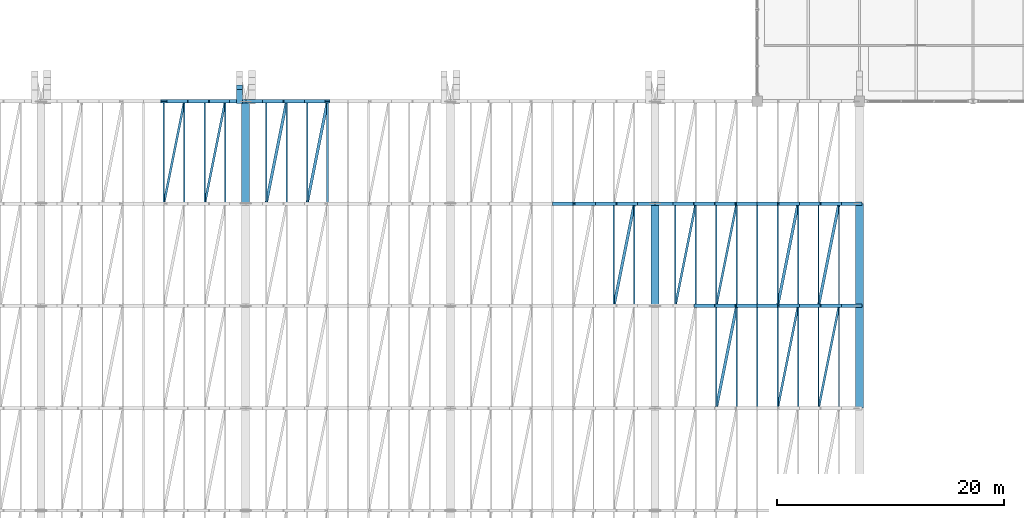
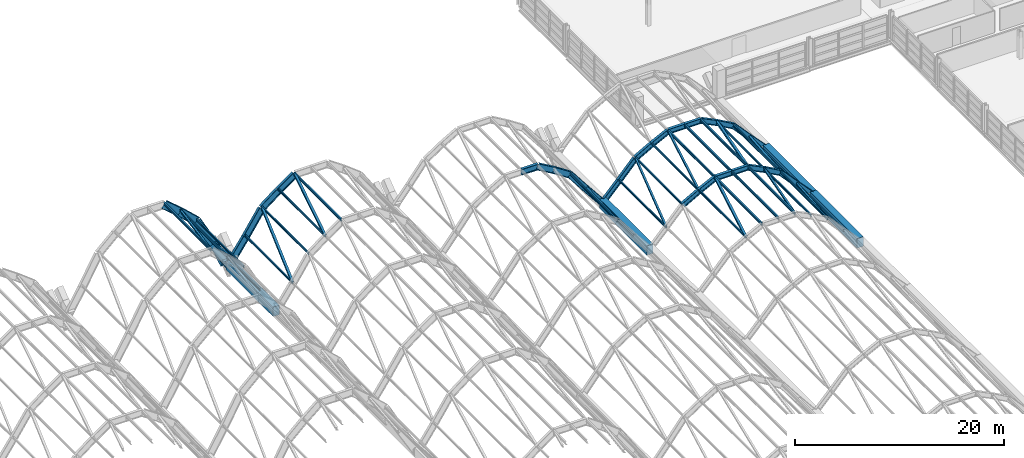
# One storey, part 26 of 86: 38 members, 36 beams.
"""IFC4 building model written with IfcOpenShell, lengths in metres."""

from ifc_helpers import new_model, si_unit, direction, frame, origin, origin_2d, place, context, subcontext, project, spatial, rectangle, i_section, extrude, material, material_profile, profile_set, type_object, element, save


model = new_model("IFC4")

# Units and contexts
model_context = context("Model", 3, precision=1e-05, world=origin(), true_north=direction((0.0, 1.0)))
body_context = subcontext(model_context, "Body", "Model", "MODEL_VIEW")
ifc_project = project(units=[si_unit("LENGTHUNIT", "METRE"), si_unit("AREAUNIT", "SQUARE_METRE"), si_unit("VOLUMEUNIT", "CUBIC_METRE"), si_unit("PLANEANGLEUNIT", "RADIAN"), si_unit("MASSUNIT", "GRAM", prefix="KILO")], contexts=[model_context])

# Site, building, storey
site_placement = place(None, origin())
site = spatial("IfcSite", under=ifc_project, at=site_placement, CompositionType="ELEMENT")
building_placement = place(site_placement, origin())
building = spatial("IfcBuilding", under=site, at=building_placement, Name="Chuanluo Vaults Station", CompositionType="ELEMENT")
storey_placement = place(building_placement, frame((0.0, 0.0, 14.39990234375)))
storey = spatial("IfcBuildingStorey", under=building, at=storey_placement, Name="L03", CompositionType="ELEMENT", Elevation=14.39990234375)

# Beams
ifc_material_1 = material(Name="Concrete C50", Category="concrete")
ifc_material_profile_1 = material_profile(ifc_material_1, rectangle(XDim=0.550048828125, YDim=0.85009765625, at=origin_2d()))
ifc_profile_set_1 = profile_set([ifc_material_profile_1], Name="Concrete C50")
beam_type_1 = type_object("IfcBeamType", Name="BM-CUSP-RC2", PredefinedType="USERDEFINED", material=ifc_profile_set_1)
beam_1_placement = place(storey_placement, frame((71.449951171875, 103.5, -0.5498046875), z_axis=(0.0, 0.872520545396, 0.488577422588), x_axis=(-1.0, 0.0, 0.0)))
element("IfcBeam", 1, at=beam_1_placement, inside=storey, type_object=beam_type_1, Name="Vault V4 upturned cusp rib N-E chord 1", ObjectType="GIRDER", PredefinedType="USERDEFINED", context=body_context, shape_type="SweptSolid", body=[
    extrude(rectangle(XDim=0.550048828125, YDim=0.85009765625, at=origin_2d()), origin(), (0.0, 0.0, 1.0), 1.4326171875),
])
ifc_material_2 = material(Name="Concrete C50", Category="concrete")
ifc_material_profile_2 = material_profile(ifc_material_2, rectangle(XDim=0.699951171875, YDim=1.10009765625, at=origin_2d()))
ifc_profile_set_2 = profile_set([ifc_material_profile_2], Name="Concrete C50")
beam_type_2 = type_object("IfcBeamType", Name="BM-VAL-RC", PredefinedType="USERDEFINED", material=ifc_profile_set_2)
for number, where, z_axis, x_axis, name in (
    (2, (72.0, 94.5, -0.7998046875), (0.0, 1.0, 0.0), (-1.0, 0.0, 0.0), "Vault springing valley beam X72-8"),
    (3, (108.0, 85.5, -0.7998046875), (0.0, 1.0, 0.0), (-1.0, 0.0, 0.0), "Vault springing valley beam X108-7"),
    (4, (126.0, 76.5, -0.7998046875), (0.0, 1.0, 0.0), (-1.0, 0.0, 0.0), "Vault springing valley beam X126-6"),
    (5, (126.0, 85.5, -0.7998046875), (0.0, 1.0, 0.0), (-1.0, 0.0, 0.0), "Vault springing valley beam X126-7"),
):
    element("IfcBeam", number, at=place(storey_placement, frame(where, z_axis=z_axis, x_axis=x_axis)), inside=storey, type_object=beam_type_2, Name=name, ObjectType="GIRDER", PredefinedType="USERDEFINED", context=body_context, shape_type="SweptSolid", body=[
        extrude(rectangle(XDim=0.699951171875, YDim=1.10009765625, at=origin_2d()), origin(), (0.0, 0.0, 1.0), 9.0),
    ])
ifc_material_3 = material(Name="Steel Q355C", Category="steel")
ifc_material_profile_3 = material_profile(ifc_material_3, i_section(OverallWidth=0.300048828125, OverallDepth=0.587890625, WebThickness=0.011962890625, FlangeThickness=0.02001953125, FilletRadius=0.02392578125, at=origin_2d()))
ifc_profile_set_3 = profile_set([ifc_material_profile_3], Name="Steel Q355C")
beam_type_3 = type_object("IfcBeamType", Name="BM-VLT-600", PredefinedType="USERDEFINED", material=ifc_profile_set_3)
beam_2_placement = place(storey_placement, frame((111.60009765625, 85.5, 3.14404296875), z_axis=(0.873681685546, 0.0, 0.486498008569), x_axis=(0.0, 1.0, 0.0)))
element("IfcBeam", 6, at=beam_2_placement, inside=storey, type_object=beam_type_3, Name="Vault V7 arch rib 7 chord 3", ObjectType="GIRDER", PredefinedType="USERDEFINED", context=body_context, shape_type="SweptSolid", body=[
    extrude(i_section(OverallWidth=0.300048828125, OverallDepth=0.587890625, WebThickness=0.011962890625, FlangeThickness=0.02001953125, FilletRadius=0.02392578125, at=origin_2d()), origin(), (0.0, 0.0, 1.0), 2.06005859375),
])
beam_3_placement = place(storey_placement, frame((113.39990234375, 85.5, 4.146240234375), z_axis=(0.896436371213, 0.0, 0.443172463457), x_axis=(0.0, 1.0, 0.0)))
element("IfcBeam", 7, at=beam_3_placement, inside=storey, type_object=beam_type_3, Name="Vault V7 arch rib 7 chord 4", ObjectType="GIRDER", PredefinedType="USERDEFINED", context=body_context, shape_type="SweptSolid", body=[
    extrude(i_section(OverallWidth=0.300048828125, OverallDepth=0.587890625, WebThickness=0.011962890625, FlangeThickness=0.02001953125, FilletRadius=0.02392578125, at=origin_2d()), origin(), (0.0, 0.0, 1.0), 2.008056640625),
])
for number, where, z_axis, x_axis, name in (
    (8, (115.199951171875, 85.5, 5.0361328125), (1.0, 0.0, 0.0), (0.0, 1.0, 0.0), "Vault V7 arch rib 7 chord 5"),
    (9, (117.0, 85.5, 5.0361328125), (1.0, 0.0, 0.0), (0.0, 1.0, 0.0), "Vault V7 arch rib 7 chord 6"),
):
    element("IfcBeam", number, at=place(storey_placement, frame(where, z_axis=z_axis, x_axis=x_axis)), inside=storey, type_object=beam_type_3, Name=name, ObjectType="GIRDER", PredefinedType="USERDEFINED", context=body_context, shape_type="SweptSolid", body=[
        extrude(i_section(OverallWidth=0.300048828125, OverallDepth=0.587890625, WebThickness=0.011962890625, FlangeThickness=0.02001953125, FilletRadius=0.02392578125, at=origin_2d()), origin(), (0.0, 0.0, 1.0), 1.800048828125),
    ])
beam_4_placement = place(storey_placement, frame((118.800048828125, 85.5, 5.0361328125), z_axis=(0.896436371213, 0.0, -0.443172463457), x_axis=(0.0, 1.0, 0.0)))
element("IfcBeam", 10, at=beam_4_placement, inside=storey, type_object=beam_type_3, Name="Vault V7 arch rib 7 chord 7", ObjectType="GIRDER", PredefinedType="USERDEFINED", context=body_context, shape_type="SweptSolid", body=[
    extrude(i_section(OverallWidth=0.300048828125, OverallDepth=0.587890625, WebThickness=0.011962890625, FlangeThickness=0.02001953125, FilletRadius=0.02392578125, at=origin_2d()), origin(), (0.0, 0.0, 1.0), 2.008056640625),
])
beam_5_placement = place(storey_placement, frame((120.60009765625, 85.5, 4.146240234375), z_axis=(0.873681685546, 0.0, -0.486498008569), x_axis=(0.0, 1.0, 0.0)))
element("IfcBeam", 11, at=beam_5_placement, inside=storey, type_object=beam_type_3, Name="Vault V7 arch rib 7 chord 8", ObjectType="GIRDER", PredefinedType="USERDEFINED", context=body_context, shape_type="SweptSolid", body=[
    extrude(i_section(OverallWidth=0.300048828125, OverallDepth=0.587890625, WebThickness=0.011962890625, FlangeThickness=0.02001953125, FilletRadius=0.02392578125, at=origin_2d()), origin(), (0.0, 0.0, 1.0), 2.06005859375),
])
beam_6_placement = place(storey_placement, frame((122.39990234375, 85.5, 3.14404296875), z_axis=(0.674369120381, 0.0, -0.738394399679), x_axis=(0.0, 1.0, 0.0)))
element("IfcBeam", 12, at=beam_6_placement, inside=storey, type_object=beam_type_3, Name="Vault V7 arch rib 7 chord 9", ObjectType="GIRDER", PredefinedType="USERDEFINED", context=body_context, shape_type="SweptSolid", body=[
    extrude(i_section(OverallWidth=0.300048828125, OverallDepth=0.587890625, WebThickness=0.011962890625, FlangeThickness=0.02001953125, FilletRadius=0.02392578125, at=origin_2d()), origin(), (0.0, 0.0, 1.0), 2.669189453125),
])
for number, where, z_axis, x_axis, name in (
    (13, (124.199951171875, 85.5, 1.173095703125), (0.684521510403, 0.0, -0.728992662374), (0.0, 1.0, 0.0), "Vault V7 arch rib 7 chord 10"),
    (14, (108.0, 94.5, -0.743896484375), (0.684521510403, 0.0, 0.728992662374), (0.0, 1.0, 0.0), "Vault V7 arch rib 8 chord 1"),
):
    element("IfcBeam", number, at=place(storey_placement, frame(where, z_axis=z_axis, x_axis=x_axis)), inside=storey, type_object=beam_type_3, Name=name, ObjectType="GIRDER", PredefinedType="USERDEFINED", context=body_context, shape_type="SweptSolid", body=[
        extrude(i_section(OverallWidth=0.300048828125, OverallDepth=0.587890625, WebThickness=0.011962890625, FlangeThickness=0.02001953125, FilletRadius=0.02392578125, at=origin_2d()), origin(), (0.0, 0.0, 1.0), 2.629638671875),
    ])
beam_7_placement = place(storey_placement, frame((109.800048828125, 94.5, 1.173095703125), z_axis=(0.674369120381, 0.0, 0.738394399679), x_axis=(0.0, 1.0, 0.0)))
element("IfcBeam", 15, at=beam_7_placement, inside=storey, type_object=beam_type_3, Name="Vault V7 arch rib 8 chord 2", ObjectType="GIRDER", PredefinedType="USERDEFINED", context=body_context, shape_type="SweptSolid", body=[
    extrude(i_section(OverallWidth=0.300048828125, OverallDepth=0.587890625, WebThickness=0.011962890625, FlangeThickness=0.02001953125, FilletRadius=0.02392578125, at=origin_2d()), origin(), (0.0, 0.0, 1.0), 2.669189453125),
])
beam_8_placement = place(storey_placement, frame((111.60009765625, 94.5, 3.14404296875), z_axis=(0.873681685546, 0.0, 0.486498008569), x_axis=(0.0, 1.0, 0.0)))
element("IfcBeam", 16, at=beam_8_placement, inside=storey, type_object=beam_type_3, Name="Vault V7 arch rib 8 chord 3", ObjectType="GIRDER", PredefinedType="USERDEFINED", context=body_context, shape_type="SweptSolid", body=[
    extrude(i_section(OverallWidth=0.300048828125, OverallDepth=0.587890625, WebThickness=0.011962890625, FlangeThickness=0.02001953125, FilletRadius=0.02392578125, at=origin_2d()), origin(), (0.0, 0.0, 1.0), 2.06005859375),
])
beam_9_placement = place(storey_placement, frame((113.39990234375, 94.5, 4.146240234375), z_axis=(0.896436371213, 0.0, 0.443172463457), x_axis=(0.0, 1.0, 0.0)))
element("IfcBeam", 17, at=beam_9_placement, inside=storey, type_object=beam_type_3, Name="Vault V7 arch rib 8 chord 4", ObjectType="GIRDER", PredefinedType="USERDEFINED", context=body_context, shape_type="SweptSolid", body=[
    extrude(i_section(OverallWidth=0.300048828125, OverallDepth=0.587890625, WebThickness=0.011962890625, FlangeThickness=0.02001953125, FilletRadius=0.02392578125, at=origin_2d()), origin(), (0.0, 0.0, 1.0), 2.008056640625),
])
for number, where, z_axis, x_axis, name in (
    (18, (115.199951171875, 94.5, 5.0361328125), (1.0, 0.0, 0.0), (0.0, 1.0, 0.0), "Vault V7 arch rib 8 chord 5"),
    (19, (117.0, 94.5, 5.0361328125), (1.0, 0.0, 0.0), (0.0, 1.0, 0.0), "Vault V7 arch rib 8 chord 6"),
):
    element("IfcBeam", number, at=place(storey_placement, frame(where, z_axis=z_axis, x_axis=x_axis)), inside=storey, type_object=beam_type_3, Name=name, ObjectType="GIRDER", PredefinedType="USERDEFINED", context=body_context, shape_type="SweptSolid", body=[
        extrude(i_section(OverallWidth=0.300048828125, OverallDepth=0.587890625, WebThickness=0.011962890625, FlangeThickness=0.02001953125, FilletRadius=0.02392578125, at=origin_2d()), origin(), (0.0, 0.0, 1.0), 1.800048828125),
    ])
beam_10_placement = place(storey_placement, frame((118.800048828125, 94.5, 5.0361328125), z_axis=(0.896436371213, 0.0, -0.443172463457), x_axis=(0.0, 1.0, 0.0)))
element("IfcBeam", 20, at=beam_10_placement, inside=storey, type_object=beam_type_3, Name="Vault V7 arch rib 8 chord 7", ObjectType="GIRDER", PredefinedType="USERDEFINED", context=body_context, shape_type="SweptSolid", body=[
    extrude(i_section(OverallWidth=0.300048828125, OverallDepth=0.587890625, WebThickness=0.011962890625, FlangeThickness=0.02001953125, FilletRadius=0.02392578125, at=origin_2d()), origin(), (0.0, 0.0, 1.0), 2.008056640625),
])
beam_11_placement = place(storey_placement, frame((120.60009765625, 94.5, 4.146240234375), z_axis=(0.873681685546, 0.0, -0.486498008569), x_axis=(0.0, 1.0, 0.0)))
element("IfcBeam", 21, at=beam_11_placement, inside=storey, type_object=beam_type_3, Name="Vault V7 arch rib 8 chord 8", ObjectType="GIRDER", PredefinedType="USERDEFINED", context=body_context, shape_type="SweptSolid", body=[
    extrude(i_section(OverallWidth=0.300048828125, OverallDepth=0.587890625, WebThickness=0.011962890625, FlangeThickness=0.02001953125, FilletRadius=0.02392578125, at=origin_2d()), origin(), (0.0, 0.0, 1.0), 2.06005859375),
])
beam_12_placement = place(storey_placement, frame((122.39990234375, 94.5, 3.14404296875), z_axis=(0.674369120381, 0.0, -0.738394399679), x_axis=(0.0, 1.0, 0.0)))
element("IfcBeam", 22, at=beam_12_placement, inside=storey, type_object=beam_type_3, Name="Vault V7 arch rib 8 chord 9", ObjectType="GIRDER", PredefinedType="USERDEFINED", context=body_context, shape_type="SweptSolid", body=[
    extrude(i_section(OverallWidth=0.300048828125, OverallDepth=0.587890625, WebThickness=0.011962890625, FlangeThickness=0.02001953125, FilletRadius=0.02392578125, at=origin_2d()), origin(), (0.0, 0.0, 1.0), 2.669189453125),
])
beam_13_placement = place(storey_placement, frame((124.199951171875, 94.5, 1.173095703125), z_axis=(0.684521510403, 0.0, -0.728992662374), x_axis=(0.0, 1.0, 0.0)))
element("IfcBeam", 23, at=beam_13_placement, inside=storey, type_object=beam_type_3, Name="Vault V7 arch rib 8 chord 10", ObjectType="GIRDER", PredefinedType="USERDEFINED", context=body_context, shape_type="SweptSolid", body=[
    extrude(i_section(OverallWidth=0.300048828125, OverallDepth=0.587890625, WebThickness=0.011962890625, FlangeThickness=0.02001953125, FilletRadius=0.02392578125, at=origin_2d()), origin(), (0.0, 0.0, 1.0), 2.629638671875),
])
ifc_material_4 = material(Name="Steel Q355C", Category="steel")
ifc_material_profile_4 = material_profile(ifc_material_4, i_section(OverallWidth=0.300048828125, OverallDepth=0.699951171875, WebThickness=0.012939453125, FlangeThickness=0.02392578125, FilletRadius=0.02392578125, at=origin_2d()))
ifc_profile_set_4 = profile_set([ifc_material_profile_4], Name="Steel Q355C")
beam_type_4 = type_object("IfcBeamType", Name="BM-VLT-700", PredefinedType="USERDEFINED", material=ifc_profile_set_4)
beam_14_placement = place(storey_placement, frame((99.0, 94.5, 5.97998046875), z_axis=(1.0, 0.0, 0.0), x_axis=(0.0, 1.0, 0.0)))
element("IfcBeam", 24, at=beam_14_placement, inside=storey, type_object=beam_type_4, Name="Vault V6 arch rib 8 chord 6", ObjectType="GIRDER", PredefinedType="USERDEFINED", context=body_context, shape_type="SweptSolid", body=[
    extrude(i_section(OverallWidth=0.300048828125, OverallDepth=0.699951171875, WebThickness=0.012939453125, FlangeThickness=0.02392578125, FilletRadius=0.02392578125, at=origin_2d()), origin(), (0.0, 0.0, 1.0), 1.800048828125),
])
beam_15_placement = place(storey_placement, frame((100.800048828125, 94.5, 5.97998046875), z_axis=(0.863009490662, 0.0, -0.505187706727), x_axis=(0.0, 1.0, 0.0)))
element("IfcBeam", 25, at=beam_15_placement, inside=storey, type_object=beam_type_4, Name="Vault V6 arch rib 8 chord 7", ObjectType="GIRDER", PredefinedType="USERDEFINED", context=body_context, shape_type="SweptSolid", body=[
    extrude(i_section(OverallWidth=0.300048828125, OverallDepth=0.699951171875, WebThickness=0.012939453125, FlangeThickness=0.02392578125, FilletRadius=0.02392578125, at=origin_2d()), origin(), (0.0, 0.0, 1.0), 2.085693359375),
])
beam_16_placement = place(storey_placement, frame((102.60009765625, 94.5, 4.92626953125), z_axis=(0.836145448105, 0.0, -0.54850778446), x_axis=(0.0, 1.0, 0.0)))
element("IfcBeam", 26, at=beam_16_placement, inside=storey, type_object=beam_type_4, Name="Vault V6 arch rib 8 chord 8", ObjectType="GIRDER", PredefinedType="USERDEFINED", context=body_context, shape_type="SweptSolid", body=[
    extrude(i_section(OverallWidth=0.300048828125, OverallDepth=0.699951171875, WebThickness=0.012939453125, FlangeThickness=0.02392578125, FilletRadius=0.02392578125, at=origin_2d()), origin(), (0.0, 0.0, 1.0), 2.152587890625),
])
beam_17_placement = place(storey_placement, frame((104.39990234375, 94.5, 3.74560546875), z_axis=(0.613681275736, 0.0, -0.789553856182), x_axis=(0.0, 1.0, 0.0)))
element("IfcBeam", 27, at=beam_17_placement, inside=storey, type_object=beam_type_4, Name="Vault V6 arch rib 8 chord 9", ObjectType="GIRDER", PredefinedType="USERDEFINED", context=body_context, shape_type="SweptSolid", body=[
    extrude(i_section(OverallWidth=0.300048828125, OverallDepth=0.699951171875, WebThickness=0.012939453125, FlangeThickness=0.02392578125, FilletRadius=0.02392578125, at=origin_2d()), origin(), (0.0, 0.0, 1.0), 2.93310546875),
])
beam_18_placement = place(storey_placement, frame((106.199951171875, 94.5, 1.4296875), z_axis=(0.628190338877, 0.0, -0.778059700885), x_axis=(0.0, 1.0, 0.0)))
element("IfcBeam", 28, at=beam_18_placement, inside=storey, type_object=beam_type_4, Name="Vault V6 arch rib 8 chord 10", ObjectType="GIRDER", PredefinedType="USERDEFINED", context=body_context, shape_type="SweptSolid", body=[
    extrude(i_section(OverallWidth=0.300048828125, OverallDepth=0.699951171875, WebThickness=0.012939453125, FlangeThickness=0.02392578125, FilletRadius=0.02392578125, at=origin_2d()), origin(), (0.0, 0.0, 1.0), 2.865478515625),
])
ifc_material_5 = material(Name="Steel Q355C", Category="steel")
ifc_material_profile_5 = material_profile(ifc_material_5, i_section(OverallWidth=0.300048828125, OverallDepth=0.800048828125, WebThickness=0.013916015625, FlangeThickness=0.02587890625, FilletRadius=0.02392578125, at=origin_2d()))
ifc_profile_set_5 = profile_set([ifc_material_profile_5], Name="Steel Q355C")
beam_type_5 = type_object("IfcBeamType", Name="BM-VLT-800", PredefinedType="USERDEFINED", material=ifc_profile_set_5)
beam_19_placement = place(storey_placement, frame((72.0, 103.5, -0.849853515625), z_axis=(0.568880934439, 0.0, 0.822419894234), x_axis=(0.0, 1.0, 0.0)))
element("IfcBeam", 29, at=beam_19_placement, inside=storey, type_object=beam_type_5, Name="Vault V5 arch rib 9 chord 1", ObjectType="GIRDER", PredefinedType="USERDEFINED", context=body_context, shape_type="SweptSolid", body=[
    extrude(i_section(OverallWidth=0.300048828125, OverallDepth=0.800048828125, WebThickness=0.013916015625, FlangeThickness=0.02587890625, FilletRadius=0.02392578125, at=origin_2d()), origin(), (0.0, 0.0, 1.0), 3.164306640625),
])
beam_20_placement = place(storey_placement, frame((73.800048828125, 103.5, 1.75244140625), z_axis=(0.550471867992, 0.0, 0.834853713263), x_axis=(0.0, 1.0, 0.0)))
element("IfcBeam", 30, at=beam_20_placement, inside=storey, type_object=beam_type_5, Name="Vault V5 arch rib 9 chord 2", ObjectType="GIRDER", PredefinedType="USERDEFINED", context=body_context, shape_type="SweptSolid", body=[
    extrude(i_section(OverallWidth=0.300048828125, OverallDepth=0.800048828125, WebThickness=0.013916015625, FlangeThickness=0.02587890625, FilletRadius=0.02392578125, at=origin_2d()), origin(), (0.0, 0.0, 1.0), 3.27001953125),
])
beam_21_placement = place(storey_placement, frame((75.60009765625, 103.5, 4.482421875), z_axis=(0.790274889356, 0.0, 0.612752477965), x_axis=(0.0, 1.0, 0.0)))
element("IfcBeam", 31, at=beam_21_placement, inside=storey, type_object=beam_type_5, Name="Vault V5 arch rib 9 chord 3", ObjectType="GIRDER", PredefinedType="USERDEFINED", context=body_context, shape_type="SweptSolid", body=[
    extrude(i_section(OverallWidth=0.300048828125, OverallDepth=0.800048828125, WebThickness=0.013916015625, FlangeThickness=0.02587890625, FilletRadius=0.02392578125, at=origin_2d()), origin(), (0.0, 0.0, 1.0), 2.27734375),
])
beam_22_placement = place(storey_placement, frame((77.39990234375, 103.5, 5.8779296875), z_axis=(0.820907471123, 0.0, 0.571061226012), x_axis=(0.0, 1.0, 0.0)))
element("IfcBeam", 32, at=beam_22_placement, inside=storey, type_object=beam_type_5, Name="Vault V5 arch rib 9 chord 4", ObjectType="GIRDER", PredefinedType="USERDEFINED", context=body_context, shape_type="SweptSolid", body=[
    extrude(i_section(OverallWidth=0.300048828125, OverallDepth=0.800048828125, WebThickness=0.013916015625, FlangeThickness=0.02587890625, FilletRadius=0.02392578125, at=origin_2d()), origin(), (0.0, 0.0, 1.0), 2.19287109375),
])
ifc_material_6 = material(Name="Steel Q355C", Category="steel")
ifc_material_profile_6 = material_profile(ifc_material_6, i_section(OverallWidth=0.300048828125, OverallDepth=0.89990234375, WebThickness=0.01611328125, FlangeThickness=0.028076171875, FilletRadius=0.02392578125, at=origin_2d()))
ifc_profile_set_6 = profile_set([ifc_material_profile_6], Name="Steel Q355C")
beam_type_6 = type_object("IfcBeamType", Name="BM-VLT-900", PredefinedType="USERDEFINED", material=ifc_profile_set_6)
beam_23_placement = place(storey_placement, frame((64.800048828125, 103.5, 8.68017578125), z_axis=(0.76434097912, 0.0, -0.644812273176), x_axis=(0.0, 1.0, 0.0)))
element("IfcBeam", 33, at=beam_23_placement, inside=storey, type_object=beam_type_6, Name="Vault V4 arch rib 9 chord 7", ObjectType="GIRDER", PredefinedType="USERDEFINED", context=body_context, shape_type="SweptSolid", body=[
    extrude(i_section(OverallWidth=0.300048828125, OverallDepth=0.89990234375, WebThickness=0.01611328125, FlangeThickness=0.028076171875, FilletRadius=0.02392578125, at=origin_2d()), origin(), (0.0, 0.0, 1.0), 2.35498046875),
])
beam_24_placement = place(storey_placement, frame((66.60009765625, 103.5, 7.16162109375), z_axis=(0.730389392317, 0.0, -0.683030991676), x_axis=(0.0, 1.0, 0.0)))
element("IfcBeam", 34, at=beam_24_placement, inside=storey, type_object=beam_type_6, Name="Vault V4 arch rib 9 chord 8", ObjectType="GIRDER", PredefinedType="USERDEFINED", context=body_context, shape_type="SweptSolid", body=[
    extrude(i_section(OverallWidth=0.300048828125, OverallDepth=0.89990234375, WebThickness=0.01611328125, FlangeThickness=0.028076171875, FilletRadius=0.02392578125, at=origin_2d()), origin(), (0.0, 0.0, 1.0), 2.464111328125),
])
beam_25_placement = place(storey_placement, frame((68.39990234375, 103.5, 5.478515625), z_axis=(0.480856872349, 0.0, -0.876799103738), x_axis=(0.0, 1.0, 0.0)))
element("IfcBeam", 35, at=beam_25_placement, inside=storey, type_object=beam_type_6, Name="Vault V4 arch rib 9 chord 9", ObjectType="GIRDER", PredefinedType="USERDEFINED", context=body_context, shape_type="SweptSolid", body=[
    extrude(i_section(OverallWidth=0.300048828125, OverallDepth=0.89990234375, WebThickness=0.01611328125, FlangeThickness=0.028076171875, FilletRadius=0.02392578125, at=origin_2d()), origin(), (0.0, 0.0, 1.0), 3.743408203125),
])
beam_26_placement = place(storey_placement, frame((70.199951171875, 103.5, 2.1962890625), z_axis=(0.502607424266, 0.0, -0.864514763941), x_axis=(0.0, 1.0, 0.0)))
element("IfcBeam", 36, at=beam_26_placement, inside=storey, type_object=beam_type_6, Name="Vault V4 arch rib 9 chord 10", ObjectType="GIRDER", PredefinedType="USERDEFINED", context=body_context, shape_type="SweptSolid", body=[
    extrude(i_section(OverallWidth=0.300048828125, OverallDepth=0.89990234375, WebThickness=0.01611328125, FlangeThickness=0.028076171875, FilletRadius=0.02392578125, at=origin_2d()), origin(), (0.0, 0.0, 1.0), 3.58154296875),
])

# Members
ifc_material_7 = material(Name="Steel Q355C", Category="steel")
ifc_material_profile_7 = material_profile(ifc_material_7, i_section(OverallWidth=0.125, OverallDepth=0.25, WebThickness=0.006103515625, FlangeThickness=0.009033203125, FilletRadius=0.011962890625, at=origin_2d()))
ifc_profile_set_7 = profile_set([ifc_material_profile_7], Name="Steel Q355C")
member_type_1 = type_object("IfcMemberType", Name="MEM-PUR-250", PredefinedType="PURLIN", material=ifc_profile_set_7)
for number, where, z_axis, x_axis, name in (
    (37, (66.60009765625, 94.5, 7.38720703125), (0.0, 1.0, 0.0), (-1.0, 0.0, 0.0), "Vault V4 purlin 8.7"),
    (38, (68.39990234375, 94.5, 5.642578125), (0.0, 1.0, 0.0), (-1.0, 0.0, 0.0), "Vault V4 purlin 8.8"),
    (39, (70.199951171875, 94.5, 2.3427734375), (0.0, 1.0, 0.0), (-1.0, 0.0, 0.0), "Vault V4 purlin 8.9"),
    (40, (73.800048828125, 94.5, 1.86962890625), (0.0, 1.0, 0.0), (-1.0, 0.0, 0.0), "Vault V5 purlin 8.1"),
    (41, (75.60009765625, 94.5, 4.619384765625), (0.0, 1.0, 0.0), (-1.0, 0.0, 0.0), "Vault V5 purlin 8.2"),
    (42, (77.39990234375, 94.5, 6.062744140625), (0.0, 1.0, 0.0), (-1.0, 0.0, 0.0), "Vault V5 purlin 8.3"),
    (43, (104.39990234375, 85.5, 3.849853515625), (0.0, 1.0, 0.0), (-1.0, 0.0, 0.0), "Vault V6 purlin 7.8"),
    (44, (106.199951171875, 85.5, 1.5126953125), (0.0, 1.0, 0.0), (-1.0, 0.0, 0.0), "Vault V6 purlin 7.9"),
    (45, (113.39990234375, 76.5, 4.23779296875), (0.0, 1.0, 0.0), (-1.0, 0.0, 0.0), "Vault V7 purlin 6.3"),
    (46, (120.60009765625, 76.5, 4.23779296875), (0.0, 1.0, 0.0), (-1.0, 0.0, 0.0), "Vault V7 purlin 6.7"),
    (47, (122.39990234375, 76.5, 3.206787109375), (0.0, 1.0, 0.0), (-1.0, 0.0, 0.0), "Vault V7 purlin 6.8"),
    (48, (124.199951171875, 76.5, 1.213134765625), (0.0, 1.0, 0.0), (-1.0, 0.0, 0.0), "Vault V7 purlin 6.9"),
    (49, (109.800048828125, 85.5, 1.213134765625), (0.0, 1.0, 0.0), (-1.0, 0.0, 0.0), "Vault V7 purlin 7.1"),
    (50, (111.60009765625, 85.5, 3.206787109375), (0.0, 1.0, 0.0), (-1.0, 0.0, 0.0), "Vault V7 purlin 7.2"),
    (51, (113.39990234375, 85.5, 4.23779296875), (0.0, 1.0, 0.0), (-1.0, 0.0, 0.0), "Vault V7 purlin 7.3"),
    (52, (120.60009765625, 85.5, 4.23779296875), (0.0, 1.0, 0.0), (-1.0, 0.0, 0.0), "Vault V7 purlin 7.7"),
    (53, (122.39990234375, 85.5, 3.206787109375), (0.0, 1.0, 0.0), (-1.0, 0.0, 0.0), "Vault V7 purlin 7.8"),
    (54, (124.199951171875, 85.5, 1.213134765625), (0.0, 1.0, 0.0), (-1.0, 0.0, 0.0), "Vault V7 purlin 7.9"),
):
    element("IfcMember", number, at=place(storey_placement, frame(where, z_axis=z_axis, x_axis=x_axis)), inside=storey, type_object=member_type_1, Name=name, PredefinedType="PURLIN", context=body_context, shape_type="SweptSolid", body=[
        extrude(i_section(OverallWidth=0.125, OverallDepth=0.25, WebThickness=0.006103515625, FlangeThickness=0.009033203125, FilletRadius=0.011962890625, at=origin_2d()), origin(), (0.0, 0.0, 1.0), 9.0),
    ])
ifc_material_8 = material(Name="Steel Q355C", Category="steel")
ifc_material_profile_8 = material_profile(ifc_material_8, i_section(OverallWidth=0.14990234375, OverallDepth=0.300048828125, WebThickness=0.006591796875, FlangeThickness=0.009033203125, FilletRadius=0.012939453125, at=origin_2d()))
ifc_profile_set_8 = profile_set([ifc_material_profile_8], Name="Steel Q355C")
member_type_2 = type_object("IfcMemberType", Name="MEM-PUR-300", PredefinedType="PURLIN", material=ifc_profile_set_8)
for number, where, z_axis, x_axis, name in (
    (55, (64.800048828125, 94.5, 8.834228515625), (0.0, 1.0, 0.0), (-1.0, 0.0, 0.0), "Vault V4 purlin 8.6"),
    (56, (79.199951171875, 94.5, 7.264404296875), (0.0, 1.0, 0.0), (-1.0, 0.0, 0.0), "Vault V5 purlin 8.4"),
    (57, (115.199951171875, 76.5, 5.102294921875), (0.0, 1.0, 0.0), (-1.0, 0.0, 0.0), "Vault V7 purlin 6.4"),
    (58, (117.0, 76.5, 5.172119140625), (0.0, 1.0, 0.0), (-1.0, 0.0, 0.0), "Vault V7 purlin 6.5"),
    (59, (118.800048828125, 76.5, 5.102294921875), (0.0, 1.0, 0.0), (-1.0, 0.0, 0.0), "Vault V7 purlin 6.6"),
    (60, (115.199951171875, 85.5, 5.102294921875), (0.0, 1.0, 0.0), (-1.0, 0.0, 0.0), "Vault V7 purlin 7.4"),
    (61, (117.0, 85.5, 5.172119140625), (0.0, 1.0, 0.0), (-1.0, 0.0, 0.0), "Vault V7 purlin 7.5"),
    (62, (118.800048828125, 85.5, 5.102294921875), (0.0, 1.0, 0.0), (-1.0, 0.0, 0.0), "Vault V7 purlin 7.6"),
):
    element("IfcMember", number, at=place(storey_placement, frame(where, z_axis=z_axis, x_axis=x_axis)), inside=storey, type_object=member_type_2, Name=name, PredefinedType="PURLIN", context=body_context, shape_type="SweptSolid", body=[
        extrude(i_section(OverallWidth=0.14990234375, OverallDepth=0.300048828125, WebThickness=0.006591796875, FlangeThickness=0.009033203125, FilletRadius=0.012939453125, at=origin_2d()), origin(), (0.0, 0.0, 1.0), 9.0),
    ])
ifc_material_9 = material(Name="Steel Q355C", Category="steel")
ifc_material_profile_9 = material_profile(ifc_material_9, i_section(OverallWidth=0.199951171875, OverallDepth=0.199951171875, WebThickness=0.008056640625, FlangeThickness=0.011962890625, FilletRadius=0.012939453125, at=origin_2d()))
ifc_profile_set_9 = profile_set([ifc_material_profile_9], Name="Steel Q355C")
member_type_3 = type_object("IfcMemberType", Name="MEM-VBR-200", PredefinedType="BRACE", material=ifc_profile_set_9)
member_1_placement = place(storey_placement, frame((64.800048828125, 94.5, 8.834228515625), z_axis=(0.193728375326, 0.968615601248, -0.155734176123), x_axis=(-0.980579652604, 0.196121250506, 0.0)))
element("IfcMember", 63, at=member_1_placement, inside=storey, type_object=member_type_3, Name="Vault V4 space-frame diagonal 8.6", PredefinedType="BRACE", context=body_context, shape_type="SweptSolid", body=[
    extrude(i_section(OverallWidth=0.199951171875, OverallDepth=0.199951171875, WebThickness=0.008056640625, FlangeThickness=0.011962890625, FilletRadius=0.012939453125, at=origin_2d()), origin(), (0.0, 0.0, 1.0), 9.29150390625),
])
member_2_placement = place(storey_placement, frame((68.39990234375, 94.5, 5.642578125), z_axis=(0.184555961681, 0.922754777078, -0.338323393202), x_axis=(-0.980579652604, 0.196121250506, 0.0)))
element("IfcMember", 64, at=member_2_placement, inside=storey, type_object=member_type_3, Name="Vault V4 space-frame diagonal 8.8", PredefinedType="BRACE", context=body_context, shape_type="SweptSolid", body=[
    extrude(i_section(OverallWidth=0.199951171875, OverallDepth=0.199951171875, WebThickness=0.008056640625, FlangeThickness=0.011962890625, FilletRadius=0.012939453125, at=origin_2d()), origin(), (0.0, 0.0, 1.0), 9.75341796875),
])
member_3_placement = place(storey_placement, frame((118.800048828125, 76.5, 5.102294921875), z_axis=(0.195257020583, 0.976258620206, -0.093775275991), x_axis=(-0.980579652604, 0.196121250506, 0.0)))
element("IfcMember", 65, at=member_3_placement, inside=storey, type_object=member_type_3, Name="Vault V7 space-frame diagonal 6.6", PredefinedType="BRACE", context=body_context, shape_type="SweptSolid", body=[
    extrude(i_section(OverallWidth=0.199951171875, OverallDepth=0.199951171875, WebThickness=0.008056640625, FlangeThickness=0.011962890625, FilletRadius=0.012939453125, at=origin_2d()), origin(), (0.0, 0.0, 1.0), 9.21875),
])
for number, where, z_axis, x_axis, name in (
    (66, (122.39990234375, 76.5, 3.206787109375), (0.191652062064, 0.958234316551, -0.212265121228), (-0.980579652604, 0.196121250506, 0.0), "Vault V7 space-frame diagonal 6.8"),
    (67, (109.800048828125, 85.5, 1.213134765625), (0.191652062064, 0.958234316551, 0.212265121228), (-0.980579652604, 0.196121250506, 0.0), "Vault V7 space-frame diagonal 7.1"),
):
    element("IfcMember", number, at=place(storey_placement, frame(where, z_axis=z_axis, x_axis=x_axis)), inside=storey, type_object=member_type_3, Name=name, PredefinedType="BRACE", context=body_context, shape_type="SweptSolid", body=[
        extrude(i_section(OverallWidth=0.199951171875, OverallDepth=0.199951171875, WebThickness=0.008056640625, FlangeThickness=0.011962890625, FilletRadius=0.012939453125, at=origin_2d()), origin(), (0.0, 0.0, 1.0), 9.392333984375),
    ])
member_4_placement = place(storey_placement, frame((113.39990234375, 85.5, 4.23779296875), z_axis=(0.195257020583, 0.976258620206, 0.093775275991), x_axis=(-0.980579652604, 0.196121250506, 0.0)))
element("IfcMember", 68, at=member_4_placement, inside=storey, type_object=member_type_3, Name="Vault V7 space-frame diagonal 7.3", PredefinedType="BRACE", context=body_context, shape_type="SweptSolid", body=[
    extrude(i_section(OverallWidth=0.199951171875, OverallDepth=0.199951171875, WebThickness=0.008056640625, FlangeThickness=0.011962890625, FilletRadius=0.012939453125, at=origin_2d()), origin(), (0.0, 0.0, 1.0), 9.21875),
])
ifc_material_10 = material(Name="Steel Q355C", Category="steel")
ifc_material_profile_10 = material_profile(ifc_material_10, i_section(OverallWidth=0.25, OverallDepth=0.25, WebThickness=0.009033203125, FlangeThickness=0.013916015625, FilletRadius=0.01611328125, at=origin_2d()))
ifc_profile_set_10 = profile_set([ifc_material_profile_10], Name="Steel Q355C")
member_type_4 = type_object("IfcMemberType", Name="MEM-VBR-250", PredefinedType="BRACE", material=ifc_profile_set_10)
member_5_placement = place(storey_placement, frame((73.800048828125, 94.5, 1.86962890625), z_axis=(0.187871019476, 0.939329616435, 0.286991901853), x_axis=(-0.980579652604, 0.196121250506, 0.0)))
element("IfcMember", 69, at=member_5_placement, inside=storey, type_object=member_type_4, Name="Vault V5 space-frame diagonal 8.1", PredefinedType="BRACE", context=body_context, shape_type="SweptSolid", body=[
    extrude(i_section(OverallWidth=0.25, OverallDepth=0.25, WebThickness=0.009033203125, FlangeThickness=0.013916015625, FilletRadius=0.01611328125, at=origin_2d()), origin(), (0.0, 0.0, 1.0), 9.581298828125),
])
member_6_placement = place(storey_placement, frame((77.39990234375, 94.5, 6.062744140625), z_axis=(0.194461668086, 0.972281965593, 0.129816944299), x_axis=(-0.980579652604, 0.196121250506, 0.0)))
element("IfcMember", 70, at=member_6_placement, inside=storey, type_object=member_type_4, Name="Vault V5 space-frame diagonal 8.3", PredefinedType="BRACE", context=body_context, shape_type="SweptSolid", body=[
    extrude(i_section(OverallWidth=0.25, OverallDepth=0.25, WebThickness=0.009033203125, FlangeThickness=0.013916015625, FilletRadius=0.01611328125, at=origin_2d()), origin(), (0.0, 0.0, 1.0), 9.256591796875),
])
member_7_placement = place(storey_placement, frame((104.39990234375, 85.5, 3.849853515625), z_axis=(0.19005620389, 0.950255242126, -0.246766314911), x_axis=(-0.980579652604, 0.196121250506, 0.0)))
element("IfcMember", 71, at=member_7_placement, inside=storey, type_object=member_type_4, Name="Vault V6 space-frame diagonal 7.8", PredefinedType="BRACE", context=body_context, shape_type="SweptSolid", body=[
    extrude(i_section(OverallWidth=0.25, OverallDepth=0.25, WebThickness=0.009033203125, FlangeThickness=0.013916015625, FilletRadius=0.01611328125, at=origin_2d()), origin(), (0.0, 0.0, 1.0), 9.47119140625),
])
for number, where, z_axis, x_axis, name in (
    (72, (113.39990234375, 76.5, 4.23779296875), (0.195257020583, 0.976258620206, 0.093775275991), (-0.980579652604, 0.196121250506, 0.0), "Vault V7 space-frame diagonal 6.3"),
    (73, (118.800048828125, 85.5, 5.102294921875), (0.195257020583, 0.976258620206, -0.093775275991), (-0.980579652604, 0.196121250506, 0.0), "Vault V7 space-frame diagonal 7.6"),
):
    element("IfcMember", number, at=place(storey_placement, frame(where, z_axis=z_axis, x_axis=x_axis)), inside=storey, type_object=member_type_4, Name=name, PredefinedType="BRACE", context=body_context, shape_type="SweptSolid", body=[
        extrude(i_section(OverallWidth=0.25, OverallDepth=0.25, WebThickness=0.009033203125, FlangeThickness=0.013916015625, FilletRadius=0.01611328125, at=origin_2d()), origin(), (0.0, 0.0, 1.0), 9.21875),
    ])
member_8_placement = place(storey_placement, frame((122.39990234375, 85.5, 3.206787109375), z_axis=(0.191652062064, 0.958234316551, -0.212265121228), x_axis=(-0.980579652604, 0.196121250506, 0.0)))
element("IfcMember", 74, at=member_8_placement, inside=storey, type_object=member_type_4, Name="Vault V7 space-frame diagonal 7.8", PredefinedType="BRACE", context=body_context, shape_type="SweptSolid", body=[
    extrude(i_section(OverallWidth=0.25, OverallDepth=0.25, WebThickness=0.009033203125, FlangeThickness=0.013916015625, FilletRadius=0.01611328125, at=origin_2d()), origin(), (0.0, 0.0, 1.0), 9.392333984375),
])

save(model, "model.ifc")
